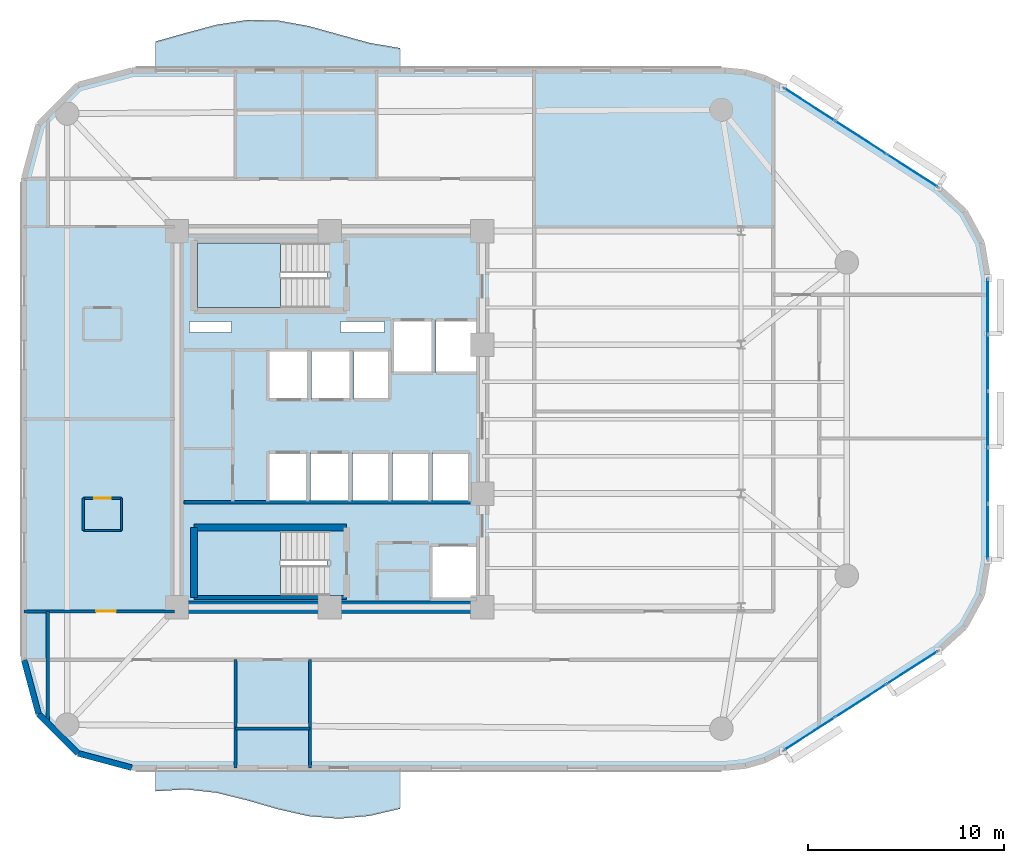
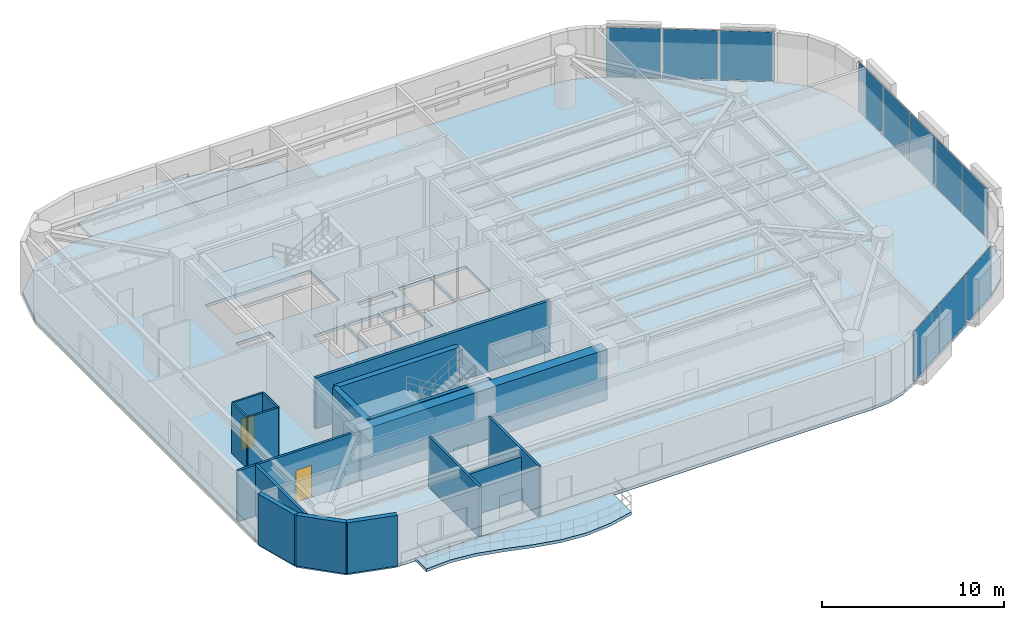
# One storey, part 9 of 15: 17 walls, 11 plates, 5 slabs, 2 doors, 2 openings, 5 elements without a shape of their own.
"""IFC4 building model written with IfcOpenShell, lengths in metres."""

from ifc_helpers import new_model, si_unit, direction, frame, frame_2d, origin, origin_2d, place, context, subcontext, project, spatial, polyline, rectangle, outline, extrude, material, layer, layer_set, type_object, element, fill, aggregate, save


model = new_model("IFC4")

# Units and contexts
model_context = context("Model", 3, precision=1e-05, world=origin(), true_north=direction((0.0, 1.0)))
body_context = subcontext(model_context, "Body", "Model", "MODEL_VIEW")
ifc_project = project(units=[si_unit("LENGTHUNIT", "METRE"), si_unit("AREAUNIT", "SQUARE_METRE"), si_unit("VOLUMEUNIT", "CUBIC_METRE"), si_unit("PLANEANGLEUNIT", "RADIAN"), si_unit("MASSUNIT", "GRAM", prefix="KILO")], contexts=[model_context])

# Site, building, storey
site_placement = place(None, origin())
site = spatial("IfcSite", under=ifc_project, at=site_placement, CompositionType="ELEMENT")
building_placement = place(site_placement, origin())
building = spatial("IfcBuilding", under=site, at=building_placement, Name="An Khanh Terracotta Commons", CompositionType="ELEMENT")
storey_placement = place(building_placement, frame((0.0, 0.0, 169.0)))
storey = spatial("IfcBuildingStorey", under=building, at=storey_placement, Name="L44", CompositionType="ELEMENT", Elevation=169.0)

# Curtain wall, plates
ifc_material_1 = material(Name="Anodised Aluminium 6063-T6", Category="aluminium")
ifc_layer_1 = layer(ifc_material_1, 0.2099609375, Name="Anodised Aluminium 6063-T6")
ifc_layer_set_1 = layer_set([ifc_layer_1], Name="Anodised Aluminium 6063-T6")
curtain_wall_type = type_object("IfcCurtainWallType", Name="CW-SYS-03", PredefinedType="USERDEFINED", material=ifc_layer_set_1)
curtain_wall_1_placement = place(storey_placement, origin())
curtain_wall_1 = element("IfcCurtainWall", 1, at=curtain_wall_1_placement, inside=storey, type_object=curtain_wall_type, Name="L44 CW-03 Unitised Curtain Wall CW-L44-08", ObjectType="UNITISED CURTAIN WALL", PredefinedType="USERDEFINED")
ifc_material_2 = material(Name="Acoustic Laminated Low-E Glazing", Category="glass")
ifc_layer_2 = layer(ifc_material_2, 0.035888671875, Name="Acoustic Laminated Low-E Glazing")
ifc_layer_set_2 = layer_set([ifc_layer_2], Name="Acoustic Laminated Low-E Glazing")
plate_type = type_object("IfcPlateType", Name="CWP-IGU-36", PredefinedType="CURTAIN_PANEL", material=ifc_layer_set_2)
plate_1_placement = place(storey_placement, frame((53.894287109375, 7.935546875, 0.0498046875), z_axis=(0.0, 0.0, 1.0), x_axis=(0.840702081986, 0.541497931062, 0.0)))
plate_1 = element("IfcPlate", 2, at=plate_1_placement, type_object=plate_type, Name="CW-03 panel 1.1", PredefinedType="CURTAIN_PANEL", context=body_context, shape_type="SweptSolid", body=[
    extrude(rectangle(XDim=3.034423828125, YDim=0.035888671875, at=origin_2d()), origin(), (0.0, 0.0, 1.0), 3.300048828125),
])
plate_2_placement = place(storey_placement, frame((56.51904296875, 9.6259765625, 0.0498046875), z_axis=(0.0, 0.0, 1.0), x_axis=(0.840702081986, 0.541497931062, 0.0)))
plate_2 = element("IfcPlate", 3, at=plate_2_placement, type_object=plate_type, Name="CW-03 panel 2.1", PredefinedType="CURTAIN_PANEL", context=body_context, shape_type="SweptSolid", body=[
    extrude(rectangle(XDim=3.0693359375, YDim=0.035888671875, at=origin_2d()), origin(), (0.0, 0.0, 1.0), 3.300048828125),
])
plate_3_placement = place(storey_placement, frame((59.1435546875, 11.31640625, 0.0498046875), z_axis=(0.0, 0.0, 1.0), x_axis=(0.840702081986, 0.541497931062, 0.0)))
plate_3 = element("IfcPlate", 4, at=plate_3_placement, type_object=plate_type, Name="CW-03 panel 3.1", PredefinedType="CURTAIN_PANEL", context=body_context, shape_type="SweptSolid", body=[
    extrude(rectangle(XDim=3.034423828125, YDim=0.035888671875, at=origin_2d()), origin(), (0.0, 0.0, 1.0), 3.300048828125),
])
aggregate(curtain_wall_1, [plate_1, plate_2, plate_3])

curtain_wall_2_placement = place(storey_placement, origin())
curtain_wall_2 = element("IfcCurtainWall", 5, at=curtain_wall_2_placement, inside=storey, type_object=curtain_wall_type, Name="L44 CW-03 Unitised Curtain Wall CW-L44-12", ObjectType="UNITISED CURTAIN WALL", PredefinedType="USERDEFINED")
plate_4_placement = place(storey_placement, frame((63.0, 18.257568359375, 0.0498046875), z_axis=(0.0, 0.0, 1.0), x_axis=(0.0, 1.0, 0.0)))
plate_4 = element("IfcPlate", 6, at=plate_4_placement, type_object=plate_type, Name="CW-03 panel 1.1", PredefinedType="CURTAIN_PANEL", context=body_context, shape_type="SweptSolid", body=[
    extrude(rectangle(XDim=2.77490234375, YDim=0.035888671875, at=origin_2d()), origin(), (0.0, 0.0, 1.0), 3.300048828125),
])
plate_5_placement = place(storey_placement, frame((63.0, 21.1201171875, 0.0498046875), z_axis=(0.0, 0.0, 1.0), x_axis=(0.0, 1.0, 0.0)))
plate_5 = element("IfcPlate", 7, at=plate_5_placement, type_object=plate_type, Name="CW-03 panel 2.1", PredefinedType="CURTAIN_PANEL", context=body_context, shape_type="SweptSolid", body=[
    extrude(rectangle(XDim=2.81005859375, YDim=0.035888671875, at=origin_2d()), origin(), (0.0, 0.0, 1.0), 3.300048828125),
])
plate_6_placement = place(storey_placement, frame((63.0, 24.0, 0.0498046875), z_axis=(0.0, 0.0, 1.0), x_axis=(0.0, 1.0, 0.0)))
plate_6 = element("IfcPlate", 8, at=plate_6_placement, type_object=plate_type, Name="CW-03 panel 3.1", PredefinedType="CURTAIN_PANEL", context=body_context, shape_type="SweptSolid", body=[
    extrude(rectangle(XDim=2.81005859375, YDim=0.035888671875, at=origin_2d()), origin(), (0.0, 0.0, 1.0), 3.300048828125),
])
plate_7_placement = place(storey_placement, frame((63.0, 26.8798828125, 0.0498046875), z_axis=(0.0, 0.0, 1.0), x_axis=(0.0, 1.0, 0.0)))
plate_7 = element("IfcPlate", 9, at=plate_7_placement, type_object=plate_type, Name="CW-03 panel 4.1", PredefinedType="CURTAIN_PANEL", context=body_context, shape_type="SweptSolid", body=[
    extrude(rectangle(XDim=2.81005859375, YDim=0.035888671875, at=origin_2d()), origin(), (0.0, 0.0, 1.0), 3.300048828125),
])
plate_8_placement = place(storey_placement, frame((63.0, 29.742431640625, 0.0498046875), z_axis=(0.0, 0.0, 1.0), x_axis=(0.0, 1.0, 0.0)))
plate_8 = element("IfcPlate", 10, at=plate_8_placement, type_object=plate_type, Name="CW-03 panel 5.1", PredefinedType="CURTAIN_PANEL", context=body_context, shape_type="SweptSolid", body=[
    extrude(rectangle(XDim=2.77490234375, YDim=0.035888671875, at=origin_2d()), origin(), (0.0, 0.0, 1.0), 3.300048828125),
])
aggregate(curtain_wall_2, [plate_4, plate_5, plate_6, plate_7, plate_8])

curtain_wall_3_placement = place(storey_placement, origin())
curtain_wall_3 = element("IfcCurtainWall", 11, at=curtain_wall_3_placement, inside=storey, type_object=curtain_wall_type, Name="L44 CW-03 Unitised Curtain Wall CW-L44-16", ObjectType="UNITISED CURTAIN WALL", PredefinedType="USERDEFINED")
plate_9_placement = place(storey_placement, frame((59.1435546875, 36.68359375, 0.0498046875), z_axis=(0.0, 0.0, 1.0), x_axis=(-0.840702081986, 0.541497931062, 0.0)))
plate_9 = element("IfcPlate", 12, at=plate_9_placement, type_object=plate_type, Name="CW-03 panel 1.1", PredefinedType="CURTAIN_PANEL", context=body_context, shape_type="SweptSolid", body=[
    extrude(rectangle(XDim=3.034423828125, YDim=0.035888671875, at=origin_2d()), origin(), (0.0, 0.0, 1.0), 3.300048828125),
])
plate_10_placement = place(storey_placement, frame((56.51904296875, 38.3740234375, 0.0498046875), z_axis=(0.0, 0.0, 1.0), x_axis=(-0.840702081986, 0.541497931062, 0.0)))
plate_10 = element("IfcPlate", 13, at=plate_10_placement, type_object=plate_type, Name="CW-03 panel 2.1", PredefinedType="CURTAIN_PANEL", context=body_context, shape_type="SweptSolid", body=[
    extrude(rectangle(XDim=3.0693359375, YDim=0.035888671875, at=origin_2d()), origin(), (0.0, 0.0, 1.0), 3.300048828125),
])
plate_11_placement = place(storey_placement, frame((53.894287109375, 40.064453125, 0.0498046875), z_axis=(0.0, 0.0, 1.0), x_axis=(-0.840702081986, 0.541497931062, 0.0)))
plate_11 = element("IfcPlate", 14, at=plate_11_placement, type_object=plate_type, Name="CW-03 panel 3.1", PredefinedType="CURTAIN_PANEL", context=body_context, shape_type="SweptSolid", body=[
    extrude(rectangle(XDim=3.034423828125, YDim=0.035888671875, at=origin_2d()), origin(), (0.0, 0.0, 1.0), 3.300048828125),
])
aggregate(curtain_wall_3, [plate_9, plate_10, plate_11])

# Slabs
ifc_material_3 = material(Name="Concrete C40/50", Category="concrete")
ifc_layer_3 = layer(ifc_material_3, 0.199951171875, Name="Concrete C40/50")
ifc_layer_set_3 = layer_set([ifc_layer_3], Name="Concrete C40/50")
slab_type_1 = type_object("IfcSlabType", Name="SLAB-BALC-200", PredefinedType="FLOOR", material=ifc_layer_set_3)
slab_1_placement = place(storey_placement, frame((0.0, 0.0, -0.199951171875)))
element("IfcSlab", 15, at=slab_1_placement, inside=storey, type_object=slab_type_1, Name="L44 S Sinusoidal Wave Balcony Slab", PredefinedType="FLOOR", context=body_context, shape_type="SweptSolid", body=[
    extrude(outline(polyline([(20.5, 6.199951171875), (20.5, 5.0), (22.06201171875, 5.096923828125), (23.625, 4.922119140625), (25.18798828125, 4.5380859375), (26.75, 4.0859375), (28.31201171875, 3.72998046875), (29.875, 3.60009765625), (31.43798828125, 3.743896484375), (33.0, 4.10888671875), (33.0, 6.199951171875), (20.5, 6.199951171875)])), origin(), (0.0, 0.0, 1.0), 0.199951171875),
])
slab_2_placement = place(storey_placement, frame((0.0, 0.0, -0.199951171875)))
element("IfcSlab", 16, at=slab_2_placement, inside=storey, type_object=slab_type_1, Name="L44 N Sinusoidal Wave Balcony Slab", PredefinedType="FLOOR", context=body_context, shape_type="SweptSolid", body=[
    extrude(outline(polyline([(33.0, 41.800048828125), (33.0, 42.93994140625), (31.43798828125, 43.2080078125), (29.875, 43.637939453125), (28.31201171875, 44.072021484375), (26.75, 44.35205078125), (25.18798828125, 44.3759765625), (23.625, 44.135009765625), (22.06201171875, 43.717041015625), (20.5, 43.27490234375), (20.5, 41.800048828125), (33.0, 41.800048828125)])), origin(), (0.0, 0.0, 1.0), 0.199951171875),
])

# Stair, slab
ifc_material_4 = material(Name="Precast concrete C40/50", Category="concrete")
stair_type = type_object("IfcStairType", Name="STAIR-CORE-1550", PredefinedType="HALF_TURN_STAIR", material=ifc_material_4)
stair_1_placement = place(storey_placement, origin())
stair_1 = element("IfcStair", 17, at=stair_1_placement, inside=storey, type_object=stair_type, Name="L44 Core Smokeproof Exit Stair ST-01", PredefinedType="HALF_TURN_STAIR")
ifc_layer_4 = layer(ifc_material_3, 0.18994140625, Name="Concrete C40/50")
ifc_layer_set_4 = layer_set([ifc_layer_4], Name="Concrete C40/50")
slab_type_2 = type_object("IfcSlabType", Name="SLAB-LANDING-190", PredefinedType="LANDING", material=ifc_layer_set_4)
slab_3_placement = place(storey_placement, frame((0.0, 0.0, 1.60009765625)))
slab_3 = element("IfcSlab", 18, at=slab_3_placement, type_object=slab_type_2, Name="ST-01 landing 1", PredefinedType="LANDING", context=body_context, shape_type="SweptSolid", body=[
    extrude(outline(polyline([(26.889892578125, 33.0), (22.64990234375, 33.0), (22.64990234375, 29.699951171875), (26.889892578125, 29.699951171875), (26.889892578125, 33.0)])), origin(), (0.0, 0.0, 1.0), 0.199951171875),
])
aggregate(stair_1, [slab_3])

stair_2_placement = place(storey_placement, origin())
stair_2 = element("IfcStair", 19, at=stair_2_placement, inside=storey, type_object=stair_type, Name="L44 Core Smokeproof Exit Stair ST-02", PredefinedType="HALF_TURN_STAIR")
slab_4_placement = place(storey_placement, frame((0.0, 0.0, 1.60009765625)))
slab_4 = element("IfcSlab", 20, at=slab_4_placement, type_object=slab_type_2, Name="ST-02 landing 1", PredefinedType="LANDING", context=body_context, shape_type="SweptSolid", body=[
    extrude(outline(polyline([(26.889892578125, 18.300048828125), (22.64990234375, 18.300048828125), (22.64990234375, 15.0), (26.889892578125, 15.0), (26.889892578125, 18.300048828125)])), origin(), (0.0, 0.0, 1.0), 0.199951171875),
])
aggregate(stair_2, [slab_4])

# Slab
ifc_layer_5 = layer(ifc_material_3, 0.199951171875, Name="Concrete C40/50")
ifc_layer_set_5 = layer_set([ifc_layer_5], Name="Concrete C40/50")
slab_type_3 = type_object("IfcSlabType", Name="SLAB-TYP-200", PredefinedType="FLOOR", material=ifc_layer_set_5)
slab_5_placement = place(storey_placement, frame((0.0, 0.0, -0.199951171875)))
element("IfcSlab", 21, at=slab_5_placement, inside=storey, type_object=slab_type_3, Name="L44 Structural Floor Slab", PredefinedType="FLOOR", context=body_context, shape_type="SweptSolid", body=[
    extrude(outline(polyline([(13.800048828125, 11.699951171875), (14.537109375, 8.949951171875), (16.550048828125, 6.93701171875), (19.300048828125, 6.199951171875), (49.58203125, 6.199951171875), (50.625, 6.300048828125), (51.6298828125, 6.594970703125), (52.56005859375, 7.075927734375), (60.47802734375, 12.176025390625), (61.825927734375, 13.403076171875), (62.697998046875, 15.0029296875), (63.0, 16.800048828125), (63.0, 31.199951171875), (62.697998046875, 32.9970703125), (61.825927734375, 34.596923828125), (60.47802734375, 35.823974609375), (52.56005859375, 40.924072265625), (51.6298828125, 41.405029296875), (50.625, 41.699951171875), (49.58203125, 41.800048828125), (19.300048828125, 41.800048828125), (16.550048828125, 41.06298828125), (14.537109375, 39.050048828125), (13.800048828125, 36.300048828125), (13.800048828125, 11.699951171875)]), holes=[polyline([(22.64990234375, 29.699951171875), (29.27001953125, 29.699951171875), (29.27001953125, 33.0), (22.64990234375, 33.0), (22.64990234375, 29.699951171875)]), polyline([(22.64990234375, 15.0), (29.27001953125, 15.0), (29.27001953125, 18.300048828125), (22.64990234375, 18.300048828125), (22.64990234375, 15.0)]), polyline([(32.60009765625, 26.35009765625), (34.679931640625, 26.35009765625), (34.679931640625, 29.080078125), (32.60009765625, 29.080078125), (32.60009765625, 26.35009765625)]), polyline([(34.820068359375, 26.35009765625), (36.89990234375, 26.35009765625), (36.89990234375, 29.080078125), (34.820068359375, 29.080078125), (34.820068359375, 26.35009765625)]), polyline([(34.550048828125, 14.800048828125), (36.89990234375, 14.800048828125), (36.89990234375, 17.550048828125), (34.550048828125, 17.550048828125), (34.550048828125, 14.800048828125)]), polyline([(26.320068359375, 25.0), (28.340087890625, 25.0), (28.340087890625, 27.5), (26.320068359375, 27.5), (26.320068359375, 25.0)]), polyline([(28.47998046875, 25.0), (30.5, 25.0), (30.5, 27.5), (28.47998046875, 27.5), (28.47998046875, 25.0)]), polyline([(26.280029296875, 19.800048828125), (28.280029296875, 19.800048828125), (28.280029296875, 22.300048828125), (26.280029296875, 22.300048828125), (26.280029296875, 19.800048828125)]), polyline([(28.419921875, 19.800048828125), (30.419921875, 19.800048828125), (30.419921875, 22.300048828125), (28.419921875, 22.300048828125), (28.419921875, 19.800048828125)]), polyline([(30.639892578125, 25.0), (32.4599609375, 25.0), (32.4599609375, 27.5), (30.639892578125, 27.5), (30.639892578125, 25.0)]), polyline([(30.56005859375, 19.800048828125), (32.4599609375, 19.800048828125), (32.4599609375, 22.300048828125), (30.56005859375, 22.300048828125), (30.56005859375, 19.800048828125)]), polyline([(32.60009765625, 19.800048828125), (34.5, 19.800048828125), (34.5, 22.300048828125), (32.60009765625, 22.300048828125), (32.60009765625, 19.800048828125)]), polyline([(34.639892578125, 19.800048828125), (36.5400390625, 19.800048828125), (36.5400390625, 22.300048828125), (34.639892578125, 22.300048828125), (34.639892578125, 19.800048828125)]), polyline([(22.25, 28.419921875), (24.39990234375, 28.419921875), (24.39990234375, 28.97998046875), (22.25, 28.97998046875), (22.25, 28.419921875)]), polyline([(29.949951171875, 28.419921875), (32.199951171875, 28.419921875), (32.199951171875, 28.97998046875), (29.949951171875, 28.97998046875), (29.949951171875, 28.419921875)])]), origin(), (0.0, 0.0, 1.0), 0.199951171875),
])

# Walls
ifc_material_5 = material(Name="Concrete C60/75", Category="concrete")
ifc_layer_6 = layer(ifc_material_5, 0.64990234375, Name="Concrete C60/75")
ifc_layer_set_6 = layer_set([ifc_layer_6], Name="Concrete C60/75")
wall_type_1 = type_object("IfcWallType", Name="WALL-CORE-650", PredefinedType="SHEAR", material=ifc_layer_set_6)
wall_1_placement = place(storey_placement, frame((37.199951171875, 14.39990234375, 0.0), z_axis=(0.0, 0.0, 1.0), x_axis=(-1.0, 0.0, 0.0)))
element("IfcWall", 22, at=wall_1_placement, inside=storey, type_object=wall_type_1, Name="L44 Core Wall CWALL-L44-S", PredefinedType="SHEAR", context=body_context, shape_type="SweptSolid", body=[
    extrude(rectangle(XDim=15.599853515625, YDim=0.64990234375, at=frame_2d((7.7998046875, 0.0))), origin(), (0.0, 0.0, 1.0), 3.39990234375),
])
ifc_material_6 = material(Name="Fire-Rated Gypsum Board on Steel Stud", Category="steel")
ifc_layer_7 = layer(ifc_material_6, 0.179931640625, Name="Fire-Rated Gypsum Board on Steel Stud")
ifc_layer_set_7 = layer_set([ifc_layer_7], Name="Fire-Rated Gypsum Board on Steel Stud")
wall_type_2 = type_object("IfcWallType", Name="WALL-CORR-180", PredefinedType="PARTITIONING", material=ifc_layer_set_7)
wall_2_placement = place(storey_placement, frame((21.949951171875, 19.760009765625, 0.0), z_axis=(0.0, 0.0, 1.0), x_axis=(1.0, 0.0, 0.0)))
element("IfcWall", 23, at=wall_2_placement, inside=storey, type_object=wall_type_2, Name="L44 Core Wall SVW-L44-N", PredefinedType="PARTITIONING", context=body_context, shape_type="SweptSolid", body=[
    extrude(rectangle(XDim=14.8701171875, YDim=0.179931640625, at=frame_2d((7.43505859375, 0.0))), origin(), (0.0, 0.0, 1.0), 3.39990234375),
])
wall_3_placement = place(storey_placement, frame((15.0, 8.487060546875, 0.0), z_axis=(0.0, 0.0, 1.0), x_axis=(0.0, 1.0, 0.0)))
element("IfcWall", 24, at=wall_3_placement, inside=storey, type_object=wall_type_2, Name="L44 Interior Partition IW-L44-E013", PredefinedType="PARTITIONING", context=body_context, shape_type="SweptSolid", body=[
    extrude(rectangle(XDim=5.69287109375, YDim=0.179931640625, at=frame_2d((2.846435546875, 0.0))), origin(), (0.0, 0.0, 1.0), 3.39990234375),
])
ifc_layer_8 = layer(ifc_material_4, 0.300048828125, Name="Precast concrete C40/50")
ifc_layer_set_8 = layer_set([ifc_layer_8], Name="Precast concrete C40/50")
wall_type_3 = type_object("IfcWallType", Name="WALL-EXT-300", PredefinedType="SOLIDWALL", material=ifc_layer_set_8)
wall_4_placement = place(storey_placement, frame((13.800048828125, 11.699951171875, 0.0), z_axis=(0.0, 0.0, 1.0), x_axis=(0.258884674387, -0.965908238586, 0.0)))
element("IfcWall", 25, at=wall_4_placement, inside=storey, type_object=wall_type_3, Name="L44 Insulated Terracotta Exterior Wall 1", PredefinedType="SOLIDWALL", context=body_context, shape_type="SweptSolid", body=[
    extrude(rectangle(XDim=2.84716796875, YDim=0.300048828125, at=frame_2d((1.423583984375, 0.0))), origin(), (0.0, 0.0, 1.0), 3.39990234375),
])
wall_5_placement = place(storey_placement, frame((14.537109375, 8.949951171875, 0.0), z_axis=(0.0, 0.0, 1.0), x_axis=(0.707106781187, -0.707106781187, 0.0)))
element("IfcWall", 26, at=wall_5_placement, inside=storey, type_object=wall_type_3, Name="L44 Insulated Terracotta Exterior Wall 2", PredefinedType="SOLIDWALL", context=body_context, shape_type="SweptSolid", body=[
    extrude(rectangle(XDim=2.8466796875, YDim=0.300048828125, at=frame_2d((1.42333984375, 0.0))), origin(), (0.0, 0.0, 1.0), 3.39990234375),
])
wall_6_placement = place(storey_placement, frame((16.550048828125, 6.93701171875, 0.0), z_axis=(0.0, 0.0, 1.0), x_axis=(0.965908238586, -0.258884674387, 0.0)))
element("IfcWall", 27, at=wall_6_placement, inside=storey, type_object=wall_type_3, Name="L44 Insulated Terracotta Exterior Wall 3", PredefinedType="SOLIDWALL", context=body_context, shape_type="SweptSolid", body=[
    extrude(rectangle(XDim=2.84716796875, YDim=0.300048828125, at=frame_2d((1.423583984375, 0.0))), origin(), (0.0, 0.0, 1.0), 3.39990234375),
])
ifc_material_7 = material(Name="Acoustic Gypsum Board Partition")
ifc_layer_9 = layer(ifc_material_7, 0.14990234375, Name="Acoustic Gypsum Board Partition")
ifc_layer_set_9 = layer_set([ifc_layer_9], Name="Acoustic Gypsum Board Partition")
wall_type_4 = type_object("IfcWallType", Name="WALL-PART-150", PredefinedType="PARTITIONING", material=ifc_layer_set_9)
wall_7_placement = place(storey_placement, frame((24.60009765625, 8.199951171875, 0.0), z_axis=(0.0, 0.0, 1.0), x_axis=(1.0, 0.0, 0.0)))
element("IfcWall", 28, at=wall_7_placement, inside=storey, type_object=wall_type_4, Name="L44 Interior Partition IW-L44-E001", PredefinedType="PARTITIONING", context=body_context, shape_type="SweptSolid", body=[
    extrude(rectangle(XDim=3.7998046875, YDim=0.14990234375, at=frame_2d((1.89990234375, 0.0))), origin(), (0.0, 0.0, 1.0), 2.882080078125),
])

# Wall, opening, door
wall_8_placement = place(storey_placement, frame((13.800048828125, 14.179931640625, 0.0), z_axis=(0.0, 0.0, 1.0), x_axis=(1.0, 0.0, 0.0)))
wall_8 = element("IfcWall", 29, at=wall_8_placement, inside=storey, type_object=wall_type_4, Name="L44 Interior Partition IW-L44-E003", PredefinedType="PARTITIONING", context=body_context, shape_type="SweptSolid", body=[
    extrude(rectangle(XDim=7.679931640625, YDim=0.14990234375, at=frame_2d((3.83984375, 0.0))), origin(), (0.0, 0.0, 1.0), 3.39990234375),
])
opening_1_placement = place(wall_8_placement, frame((3.679931640625, 0.0, 0.0)))
opening_1 = element("IfcOpeningElement", 30, at=opening_1_placement, cuts=wall_8, Name="Opening D-UN", PredefinedType="OPENING", context=body_context, shape_type="SweptSolid", body=[
    extrude(rectangle(XDim=1.0, YDim=2.14990234375, at=frame_2d((0.5, 1.074951171875))), frame((0.0, 0.0849609375, 0.0), z_axis=(0.0, -1.0, 0.0), x_axis=(1.0, 0.0, 0.0)), (0.0, 0.0, 1.0), 0.169921875),
])
ifc_material_8 = material(Name="Solid-Core Hardwood Acoustic Fire Door", Category="wood")
door_type_1 = type_object("IfcDoorType", Name="DOOR-UNIT-1000", OperationType="NOTDEFINED", PredefinedType="DOOR", material=ifc_material_8)
door_1_placement = place(opening_1_placement, origin())
door_1 = element("IfcDoor", 31, at=door_1_placement, inside=storey, type_object=door_type_1, Name="L44 WW1 Kitchenette and Studio Apartment Door", OperationType="SINGLE_SWING_LEFT", OverallHeight=2.14990234375, OverallWidth=1.0, PredefinedType="DOOR", context=body_context, shape_type="SweptSolid", body=[
    extrude(rectangle(XDim=1.0, YDim=2.14990234375, at=frame_2d((0.5, 1.074951171875))), frame((0.0, 0.02490234375, 0.0), z_axis=(0.0, -1.0, 0.0), x_axis=(1.0, 0.0, 0.0)), (0.0, 0.0, 1.0), 0.050048828125),
])
fill(opening_1, door_1)

# Walls
for number, where, z_axis, x_axis, name in (
    (32, (24.60009765625, 6.199951171875, 0.0), (0.0, 0.0, 1.0), (0.0, 1.0, 0.0), "L44 Interior Partition IW-L44-E015"),
    (33, (28.39990234375, 6.199951171875, 0.0), (0.0, 0.0, 1.0), (0.0, 1.0, 0.0), "L44 Interior Partition IW-L44-E018"),
):
    element("IfcWall", number, at=place(storey_placement, frame(where, z_axis=z_axis, x_axis=x_axis)), inside=storey, type_object=wall_type_4, Name=name, PredefinedType="PARTITIONING", context=body_context, shape_type="SweptSolid", body=[
        extrude(rectangle(XDim=5.52001953125, YDim=0.14990234375, at=frame_2d((2.760009765625, 0.0))), origin(), (0.0, 0.0, 1.0), 3.39990234375),
    ])
ifc_material_9 = material(Name="Acoustic Double-Stud Gypsum and Mineral Wool")
ifc_layer_10 = layer(ifc_material_9, 0.219970703125, Name="Acoustic Double-Stud Gypsum and Mineral Wool")
ifc_layer_set_10 = layer_set([ifc_layer_10], Name="Acoustic Double-Stud Gypsum and Mineral Wool")
wall_type_5 = type_object("IfcWallType", Name="WALL-PARTY-220", PredefinedType="PARTITIONING", material=ifc_layer_set_10)
wall_9_placement = place(storey_placement, frame((22.47998046875, 14.889892578125, 0.0), z_axis=(0.0, 0.0, 1.0), x_axis=(1.0, 0.0, 0.0)))
element("IfcWall", 34, at=wall_9_placement, inside=storey, type_object=wall_type_5, Name="L44 Core Wall STW-L44-S-S", PredefinedType="PARTITIONING", context=body_context, shape_type="SweptSolid", body=[
    extrude(rectangle(XDim=7.7900390625, YDim=0.219970703125, at=frame_2d((3.89501953125, 0.0))), origin(), (0.0, 0.0, 1.0), 3.39990234375),
])
ifc_material_10 = material(Name="Concrete C50/60", Category="concrete")
ifc_layer_11 = layer(ifc_material_10, 0.35009765625, Name="Concrete C50/60")
ifc_layer_set_11 = layer_set([ifc_layer_11], Name="Concrete C50/60")
wall_type_6 = type_object("IfcWallType", Name="WALL-SHAFT-350", PredefinedType="SOLIDWALL", material=ifc_layer_set_11)
wall_10_placement = place(storey_placement, frame((22.47998046875, 18.469970703125, 0.0), z_axis=(0.0, 0.0, 1.0), x_axis=(1.0, 0.0, 0.0)))
element("IfcWall", 35, at=wall_10_placement, inside=storey, type_object=wall_type_6, Name="L44 Core Wall STW-L44-S-N", PredefinedType="SOLIDWALL", context=body_context, shape_type="SweptSolid", body=[
    extrude(rectangle(XDim=7.7900390625, YDim=0.35009765625, at=frame_2d((3.89501953125, 0.0))), origin(), (0.0, 0.0, 1.0), 3.39990234375),
])
wall_11_placement = place(storey_placement, frame((22.47998046875, 14.889892578125, 0.0), z_axis=(0.0, 0.0, 1.0), x_axis=(0.0, 1.0, 0.0)))
element("IfcWall", 36, at=wall_11_placement, inside=storey, type_object=wall_type_6, Name="L44 Core Wall STW-L44-S-W", PredefinedType="SOLIDWALL", context=body_context, shape_type="SweptSolid", body=[
    extrude(rectangle(XDim=3.580078125, YDim=0.35009765625, at=frame_2d((1.7900390625, 0.0))), origin(), (0.0, 0.0, 1.0), 3.39990234375),
])

# Wall, opening, door
ifc_material_11 = material(Name="Moisture-Resistant Cement Board Partition")
ifc_layer_12 = layer(ifc_material_11, 0.1201171875, Name="Moisture-Resistant Cement Board Partition")
ifc_layer_set_12 = layer_set([ifc_layer_12], Name="Moisture-Resistant Cement Board Partition")
wall_type_7 = type_object("IfcWallType", Name="WALL-WET-120", PredefinedType="PARTITIONING", material=ifc_layer_set_12)
wall_12_placement = place(storey_placement, frame((16.824951171875, 19.965087890625, 0.0), z_axis=(0.0, 0.0, 1.0), x_axis=(1.0, 0.0, 0.0)))
wall_12 = element("IfcWall", 37, at=wall_12_placement, inside=storey, type_object=wall_type_7, Name="L44 Interior Partition IW-L44-WW1-BN", PredefinedType="PARTITIONING", context=body_context, shape_type="SweptSolid", body=[
    extrude(rectangle(XDim=1.949951171875, YDim=0.1201171875, at=frame_2d((0.97509765625, 0.0))), origin(), (0.0, 0.0, 1.0), 3.39990234375),
])
opening_2_placement = place(wall_12_placement, frame((0.544921875, 0.0, 0.0)))
opening_2 = element("IfcOpeningElement", 38, at=opening_2_placement, cuts=wall_12, Name="Opening D-ENS", PredefinedType="OPENING", context=body_context, shape_type="SweptSolid", body=[
    extrude(rectangle(XDim=0.860107421875, YDim=2.10009765625, at=frame_2d((0.43017578125, 1.050048828125))), frame((0.0, 0.070068359375, 0.0), z_axis=(0.0, -1.0, 0.0), x_axis=(1.0, 0.0, 0.0)), (0.0, 0.0, 1.0), 0.14013671875),
])
ifc_material_12 = material(Name="Moisture-Resistant Hardwood Timber Leaf", Category="wood")
door_type_2 = type_object("IfcDoorType", Name="DOOR-BATH-860", OperationType="NOTDEFINED", PredefinedType="DOOR", material=ifc_material_12)
door_2_placement = place(opening_2_placement, origin())
door_2 = element("IfcDoor", 39, at=door_2_placement, inside=storey, type_object=door_type_2, Name="L44 Studio WW1 En-suite Door", OperationType="SINGLE_SWING_LEFT", OverallHeight=2.10009765625, OverallWidth=0.860107421875, PredefinedType="DOOR", context=body_context, shape_type="SweptSolid", body=[
    extrude(rectangle(XDim=0.860107421875, YDim=2.10009765625, at=frame_2d((0.43017578125, 1.050048828125))), frame((0.0, 0.02490234375, 0.0), z_axis=(0.0, -1.0, 0.0), x_axis=(1.0, 0.0, 0.0)), (0.0, 0.0, 1.0), 0.050048828125),
])
fill(opening_2, door_2)

# Walls
wall_13_placement = place(storey_placement, frame((18.77490234375, 18.31494140625, 0.0), z_axis=(0.0, 0.0, 1.0), x_axis=(-1.0, 0.0, 0.0)))
element("IfcWall", 40, at=wall_13_placement, inside=storey, type_object=wall_type_7, Name="L44 Interior Partition IW-L44-WW1-BS", PredefinedType="PARTITIONING", context=body_context, shape_type="SweptSolid", body=[
    extrude(rectangle(XDim=1.949951171875, YDim=0.1201171875, at=frame_2d((0.97509765625, 0.0))), origin(), (0.0, 0.0, 1.0), 3.39990234375),
])
for number, where, z_axis, x_axis, name in (
    (41, (16.824951171875, 19.965087890625, 0.0), (0.0, 0.0, 1.0), (0.0, -1.0, 0.0), "L44 Interior Partition IW-L44-WW1-BW"),
    (42, (18.77490234375, 18.31494140625, 0.0), (0.0, 0.0, 1.0), (0.0, 1.0, 0.0), "L44 Interior Partition IW-L44-WW1-BE"),
):
    element("IfcWall", number, at=place(storey_placement, frame(where, z_axis=z_axis, x_axis=x_axis)), inside=storey, type_object=wall_type_7, Name=name, PredefinedType="PARTITIONING", context=body_context, shape_type="SweptSolid", body=[
        extrude(rectangle(XDim=1.650146484375, YDim=0.1201171875, at=frame_2d((0.8251953125, 0.0))), origin(), (0.0, 0.0, 1.0), 3.39990234375),
    ])

save(model, "model.ifc")
